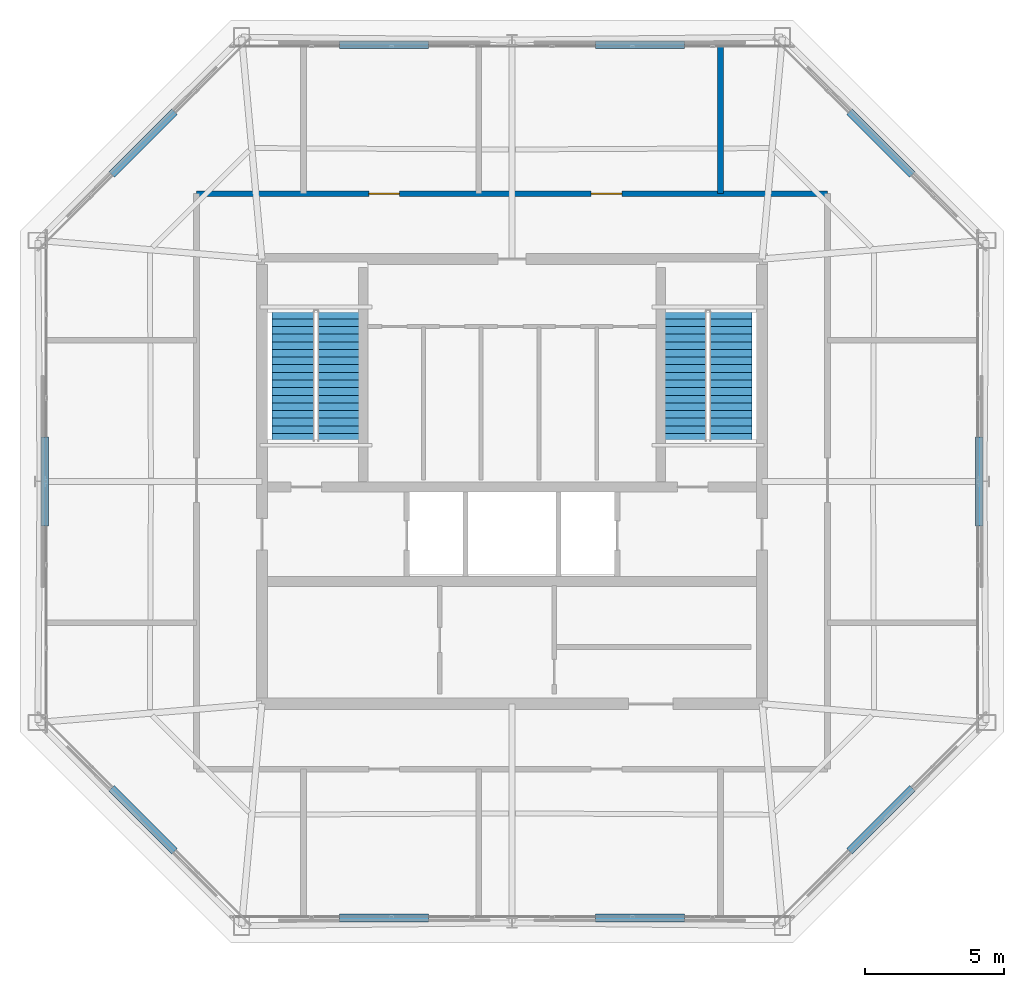
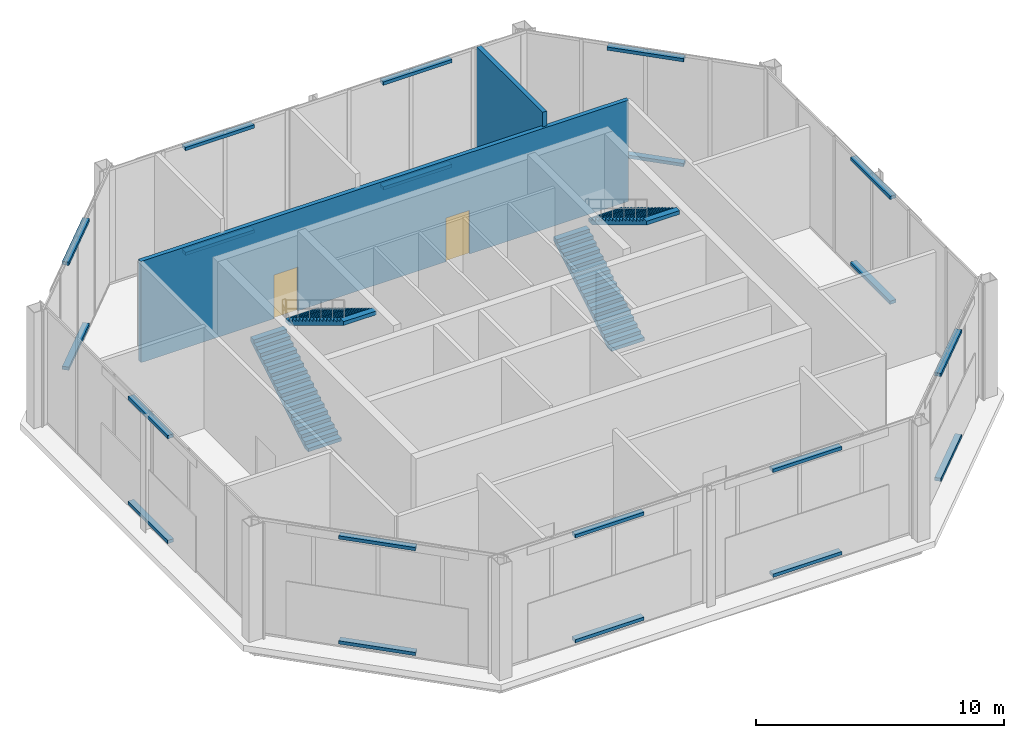
# One storey, part 19 of 20: 20 discrete accessories, 4 stair flights, 2 doors, 2 walls, 2 openings, 2 elements without a shape of their own.
"""IFC4 building model written with IfcOpenShell, lengths in metres."""

from ifc_helpers import new_model, si_unit, direction, frame, frame_2d, origin, origin_2d, place, context, subcontext, project, spatial, polyline, rectangle, outline, extrude, material, layer, layer_set, type_object, element, fill, aggregate, save


model = new_model("IFC4")

# Units and contexts
model_context = context("Model", 3, precision=1e-05, world=origin(), true_north=direction((0.0, 1.0)))
body_context = subcontext(model_context, "Body", "Model", "MODEL_VIEW")
ifc_project = project(units=[si_unit("LENGTHUNIT", "METRE"), si_unit("AREAUNIT", "SQUARE_METRE"), si_unit("VOLUMEUNIT", "CUBIC_METRE"), si_unit("PLANEANGLEUNIT", "RADIAN"), si_unit("MASSUNIT", "GRAM", prefix="KILO")], contexts=[model_context])

# Site, building, storey
site_placement = place(None, origin())
site = spatial("IfcSite", under=ifc_project, at=site_placement, CompositionType="ELEMENT")
building_placement = place(site_placement, origin())
building = spatial("IfcBuilding", under=site, at=building_placement, Name="Caelvoria Tower", CompositionType="ELEMENT")
storey_placement = place(building_placement, frame((0.0, 0.0, 284.199951171875)))
storey = spatial("IfcBuildingStorey", under=building, at=storey_placement, Name="C1", CompositionType="ELEMENT", Elevation=284.199951171875)

# Wall
ifc_material_1 = material(Name="Concrete Block and Fireboard Assembly", Category="concrete")
ifc_layer = layer(ifc_material_1, 0.199951171875, Name="Concrete Block and Fireboard Assembly")
ifc_layer_set = layer_set([ifc_layer], Name="Fire-Rated Shaft and Core Partition Wall 200 - Concrete Block and Fireboard Assembly")
wall_type = type_object("IfcWallType", Name="Fire-Rated Shaft and Core Partition Wall 200", PredefinedType="PARTITIONING", material=ifc_layer_set)
wall_1_placement = place(storey_placement, frame((53.5, 42.35009765625, 0.0), z_axis=(0.0, 0.0, 1.0), x_axis=(0.0, 1.0, 0.0)))
element("IfcWall", 1, at=wall_1_placement, inside=storey, type_object=wall_type, Name="Interior Partition IW-C1-OCH-SEN", PredefinedType="PARTITIONING", context=body_context, shape_type="SweptSolid", body=[
    extrude(rectangle(XDim=5.309814453125, YDim=0.199951171875, at=frame_2d((2.65478515625, 0.0))), origin(), (0.0, 0.0, 1.0), 5.699951171875),
])

# Wall, openings, doors
wall_2_placement = place(storey_placement, frame((34.64990234375, 42.35009765625, 0.0), z_axis=(0.0, 0.0, 1.0), x_axis=(1.0, 0.0, 0.0)))
wall_2 = element("IfcWall", 2, at=wall_2_placement, inside=storey, type_object=wall_type, Name="Interior Partition IW-C1-CRN", PredefinedType="PARTITIONING", context=body_context, shape_type="SweptSolid", body=[
    extrude(rectangle(XDim=22.7001953125, YDim=0.199951171875, at=frame_2d((11.35009765625, 0.0))), origin(), (0.0, 0.0, 1.0), 4.97998046875),
])
opening_1_placement = place(wall_2_placement, frame((6.199951171875, 0.0, 0.0)))
opening_1 = element("IfcOpeningElement", 3, at=opening_1_placement, cuts=wall_2, Name="Opening ID-01", PredefinedType="OPENING", context=body_context, shape_type="SweptSolid", body=[
    extrude(rectangle(XDim=1.10009765625, YDim=2.14990234375, at=frame_2d((0.550048828125, 1.074951171875))), frame((0.0, 0.10986328125, 0.0), z_axis=(0.0, -1.0, 0.0), x_axis=(1.0, 0.0, 0.0)), (0.0, 0.0, 1.0), 0.219970703125),
])
opening_2_placement = place(wall_2_placement, frame((14.199951171875, 0.0, 0.0)))
opening_2 = element("IfcOpeningElement", 4, at=opening_2_placement, cuts=wall_2, Name="Opening ID-01", PredefinedType="OPENING", context=body_context, shape_type="SweptSolid", body=[
    extrude(rectangle(XDim=1.10009765625, YDim=2.14990234375, at=frame_2d((0.550048828125, 1.074951171875))), frame((0.0, 0.10986328125, 0.0), z_axis=(0.0, -1.0, 0.0), x_axis=(1.0, 0.0, 0.0)), (0.0, 0.0, 1.0), 0.219970703125),
])
ifc_material_2 = material(Name="Painted Hollow Steel Fire Door", Category="steel")
door_type = type_object("IfcDoorType", Name="Fire Door FD90S 1100x2150", OperationType="NOTDEFINED", PredefinedType="DOOR", material=ifc_material_2)
door_1_placement = place(opening_1_placement, origin())
door_1 = element("IfcDoor", 5, at=door_1_placement, inside=storey, type_object=door_type, Name="Interior Door DR-C1-PLTN1", OperationType="SINGLE_SWING_RIGHT", OverallHeight=2.14990234375, OverallWidth=1.10009765625, PredefinedType="DOOR", context=body_context, shape_type="SweptSolid", body=[
    extrude(rectangle(XDim=1.10009765625, YDim=2.14990234375, at=frame_2d((0.550048828125, 1.074951171875))), frame((0.0, 0.02490234375, 0.0), z_axis=(0.0, -1.0, 0.0), x_axis=(1.0, 0.0, 0.0)), (0.0, 0.0, 1.0), 0.050048828125),
])
fill(opening_1, door_1)
door_2_placement = place(opening_2_placement, origin())
door_2 = element("IfcDoor", 6, at=door_2_placement, inside=storey, type_object=door_type, Name="Interior Door DR-C1-PLTN2", OperationType="SINGLE_SWING_LEFT", OverallHeight=2.14990234375, OverallWidth=1.10009765625, PredefinedType="DOOR", context=body_context, shape_type="SweptSolid", body=[
    extrude(rectangle(XDim=1.10009765625, YDim=2.14990234375, at=frame_2d((0.550048828125, 1.074951171875))), frame((0.0, 0.02490234375, 0.0), z_axis=(0.0, -1.0, 0.0), x_axis=(1.0, 0.0, 0.0)), (0.0, 0.0, 1.0), 0.050048828125),
])
fill(opening_2, door_2)

# Stair, stair flights
ifc_material_3 = material(Name="Concrete C40/50", Category="concrete")
stair_type = type_object("IfcStairType", Name="Core Smokeproof Dogleg Stair Concrete C40/50", PredefinedType="HALF_TURN_STAIR", material=ifc_material_3)
stair_1_placement = place(storey_placement, origin())
stair_1 = element("IfcStair", 7, at=stair_1_placement, inside=storey, type_object=stair_type, Name="ST-01 Smokeproof Exit Stair C1", PredefinedType="HALF_TURN_STAIR")
ifc_material_4 = material(Name="Precast Concrete C40/50", Category="concrete")
stair_flight_type = type_object("IfcStairFlightType", Name="Precast Concrete C40/50 Stair Flight 1480", PredefinedType="STRAIGHT", material=ifc_material_4)
stair_flight_1_placement = place(storey_placement, frame((38.1298828125, 33.449951171875, 0.0), z_axis=(0.0, 0.0, 1.0), x_axis=(0.0, 1.0, 0.0)))
stair_flight_1 = element("IfcStairFlight", 8, at=stair_flight_1_placement, type_object=stair_flight_type, Name="ST-01 flight 1", NumberOfRisers=18, NumberOfTreads=17, PredefinedType="STRAIGHT", RiserHeight=0.1667, TreadLength=0.275, context=body_context, shape_type="SweptSolid", body=[
    extrude(outline(polyline([(0.0, 0.0), (0.0, 0.166748046875), (0.27490234375, 0.166748046875), (0.27490234375, 0.33349609375), (0.550048828125, 0.33349609375), (0.550048828125, 0.5), (0.824951171875, 0.5), (0.824951171875, 0.666748046875), (1.10009765625, 0.666748046875), (1.10009765625, 0.83349609375), (1.375, 0.83349609375), (1.375, 1.000244140625), (1.64990234375, 1.000244140625), (1.64990234375, 1.1669921875), (1.925048828125, 1.1669921875), (1.925048828125, 1.33349609375), (2.199951171875, 1.33349609375), (2.199951171875, 1.500244140625), (2.47509765625, 1.500244140625), (2.47509765625, 1.6669921875), (2.75, 1.6669921875), (2.75, 1.833740234375), (3.02490234375, 1.833740234375), (3.02490234375, 2.00048828125), (3.300048828125, 2.00048828125), (3.300048828125, 2.1669921875), (3.574951171875, 2.1669921875), (3.574951171875, 2.333740234375), (3.85009765625, 2.333740234375), (3.85009765625, 2.50048828125), (4.125, 2.50048828125), (4.125, 2.667236328125), (4.39990234375, 2.667236328125), (4.39990234375, 2.833984375), (4.675048828125, 2.833984375), (4.675048828125, 3.00048828125), (4.675048828125, 2.64697265625), (0.30859375, 0.0), (0.0, 0.0)])), frame((0.0, 0.77001953125, 0.0), z_axis=(0.0, -1.0, 0.0), x_axis=(1.0, 0.0, 0.0)), (0.0, 0.0, 1.0), 1.5400390625),
])
stair_flight_2_placement = place(storey_placement, frame((39.77001953125, 38.125, 3.0), z_axis=(0.0, 0.0, 1.0), x_axis=(0.0, -1.0, 0.0)))
stair_flight_2 = element("IfcStairFlight", 9, at=stair_flight_2_placement, type_object=stair_flight_type, Name="ST-01 flight 2", NumberOfRisers=18, NumberOfTreads=17, PredefinedType="STRAIGHT", RiserHeight=0.1667, TreadLength=0.275, context=body_context, shape_type="SweptSolid", body=[
    extrude(outline(polyline([(0.0, 0.0), (0.0, 0.166748046875), (0.27490234375, 0.166748046875), (0.27490234375, 0.33349609375), (0.550048828125, 0.33349609375), (0.550048828125, 0.5), (0.824951171875, 0.5), (0.824951171875, 0.666748046875), (1.10009765625, 0.666748046875), (1.10009765625, 0.83349609375), (1.375, 0.83349609375), (1.375, 1.000244140625), (1.64990234375, 1.000244140625), (1.64990234375, 1.1669921875), (1.925048828125, 1.1669921875), (1.925048828125, 1.33349609375), (2.199951171875, 1.33349609375), (2.199951171875, 1.500244140625), (2.47509765625, 1.500244140625), (2.47509765625, 1.6669921875), (2.75, 1.6669921875), (2.75, 1.833740234375), (3.02490234375, 1.833740234375), (3.02490234375, 2.00048828125), (3.300048828125, 2.00048828125), (3.300048828125, 2.1669921875), (3.574951171875, 2.1669921875), (3.574951171875, 2.333740234375), (3.85009765625, 2.333740234375), (3.85009765625, 2.50048828125), (4.125, 2.50048828125), (4.125, 2.667236328125), (4.39990234375, 2.667236328125), (4.39990234375, 2.833984375), (4.675048828125, 2.833984375), (4.675048828125, 3.00048828125), (4.675048828125, 2.64697265625), (0.30859375, 0.0), (0.0, 0.0)])), frame((0.0, 0.77001953125, 0.0), z_axis=(0.0, -1.0, 0.0), x_axis=(1.0, 0.0, 0.0)), (0.0, 0.0, 1.0), 1.5400390625),
])
aggregate(stair_1, [stair_flight_1, stair_flight_2])

stair_2_placement = place(storey_placement, origin())
stair_2 = element("IfcStair", 10, at=stair_2_placement, inside=storey, type_object=stair_type, Name="ST-02 Smokeproof Exit Stair C1", PredefinedType="HALF_TURN_STAIR")
stair_flight_3_placement = place(storey_placement, frame((52.22998046875, 33.449951171875, 0.0), z_axis=(0.0, 0.0, 1.0), x_axis=(0.0, 1.0, 0.0)))
stair_flight_3 = element("IfcStairFlight", 11, at=stair_flight_3_placement, type_object=stair_flight_type, Name="ST-02 flight 1", NumberOfRisers=18, NumberOfTreads=17, PredefinedType="STRAIGHT", RiserHeight=0.1667, TreadLength=0.275, context=body_context, shape_type="SweptSolid", body=[
    extrude(outline(polyline([(0.0, 0.0), (0.0, 0.166748046875), (0.27490234375, 0.166748046875), (0.27490234375, 0.33349609375), (0.550048828125, 0.33349609375), (0.550048828125, 0.5), (0.824951171875, 0.5), (0.824951171875, 0.666748046875), (1.10009765625, 0.666748046875), (1.10009765625, 0.83349609375), (1.375, 0.83349609375), (1.375, 1.000244140625), (1.64990234375, 1.000244140625), (1.64990234375, 1.1669921875), (1.925048828125, 1.1669921875), (1.925048828125, 1.33349609375), (2.199951171875, 1.33349609375), (2.199951171875, 1.500244140625), (2.47509765625, 1.500244140625), (2.47509765625, 1.6669921875), (2.75, 1.6669921875), (2.75, 1.833740234375), (3.02490234375, 1.833740234375), (3.02490234375, 2.00048828125), (3.300048828125, 2.00048828125), (3.300048828125, 2.1669921875), (3.574951171875, 2.1669921875), (3.574951171875, 2.333740234375), (3.85009765625, 2.333740234375), (3.85009765625, 2.50048828125), (4.125, 2.50048828125), (4.125, 2.667236328125), (4.39990234375, 2.667236328125), (4.39990234375, 2.833984375), (4.675048828125, 2.833984375), (4.675048828125, 3.00048828125), (4.675048828125, 2.64697265625), (0.30859375, 0.0), (0.0, 0.0)])), frame((0.0, 0.77001953125, 0.0), z_axis=(0.0, -1.0, 0.0), x_axis=(1.0, 0.0, 0.0)), (0.0, 0.0, 1.0), 1.5400390625),
])
stair_flight_4_placement = place(storey_placement, frame((53.8701171875, 38.125, 3.0), z_axis=(0.0, 0.0, 1.0), x_axis=(0.0, -1.0, 0.0)))
stair_flight_4 = element("IfcStairFlight", 12, at=stair_flight_4_placement, type_object=stair_flight_type, Name="ST-02 flight 2", NumberOfRisers=18, NumberOfTreads=17, PredefinedType="STRAIGHT", RiserHeight=0.1667, TreadLength=0.275, context=body_context, shape_type="SweptSolid", body=[
    extrude(outline(polyline([(0.0, 0.0), (0.0, 0.166748046875), (0.27490234375, 0.166748046875), (0.27490234375, 0.33349609375), (0.550048828125, 0.33349609375), (0.550048828125, 0.5), (0.824951171875, 0.5), (0.824951171875, 0.666748046875), (1.10009765625, 0.666748046875), (1.10009765625, 0.83349609375), (1.375, 0.83349609375), (1.375, 1.000244140625), (1.64990234375, 1.000244140625), (1.64990234375, 1.1669921875), (1.925048828125, 1.1669921875), (1.925048828125, 1.33349609375), (2.199951171875, 1.33349609375), (2.199951171875, 1.500244140625), (2.47509765625, 1.500244140625), (2.47509765625, 1.6669921875), (2.75, 1.6669921875), (2.75, 1.833740234375), (3.02490234375, 1.833740234375), (3.02490234375, 2.00048828125), (3.300048828125, 2.00048828125), (3.300048828125, 2.1669921875), (3.574951171875, 2.1669921875), (3.574951171875, 2.333740234375), (3.85009765625, 2.333740234375), (3.85009765625, 2.50048828125), (4.125, 2.50048828125), (4.125, 2.667236328125), (4.39990234375, 2.667236328125), (4.39990234375, 2.833984375), (4.675048828125, 2.833984375), (4.675048828125, 3.00048828125), (4.675048828125, 2.64697265625), (0.30859375, 0.0), (0.0, 0.0)])), frame((0.0, 0.77001953125, 0.0), z_axis=(0.0, -1.0, 0.0), x_axis=(1.0, 0.0, 0.0)), (0.0, 0.0, 1.0), 1.5400390625),
])
aggregate(stair_2, [stair_flight_3, stair_flight_4])

# Discrete accessories
ifc_material_5 = material(Name="Anodised Bronze Stainless Bracket", Category="bronze")
discrete_accessory_type = type_object("IfcDiscreteAccessoryType", Name="Solar Screen Outrigger Support Bracket", PredefinedType="BRACKET", material=ifc_material_5)
for number, where, z_axis, x_axis, name in (
    (13, (41.39990234375, 16.29052734375, 0.240234375), (0.0, 0.0, 1.0), (1.0, 0.0, 0.0), "Solar Screen Bracket C1-E0-00"),
    (14, (41.39990234375, 16.29052734375, 5.39990234375), (0.0, 0.0, 1.0), (1.0, 0.0, 0.0), "Upper Screen Band Bracket C1-E0-00"),
    (15, (50.60009765625, 16.29052734375, 0.240234375), (0.0, 0.0, 1.0), (1.0, 0.0, 0.0), "Solar Screen Bracket C1-E0-01"),
    (16, (50.60009765625, 16.29052734375, 5.39990234375), (0.0, 0.0, 1.0), (1.0, 0.0, 0.0), "Upper Screen Band Bracket C1-E0-01"),
    (17, (59.270263671875, 19.82958984375, 0.240234375), (0.0, 0.0, 1.0), (0.707106781187, 0.707106781187, 0.0), "Solar Screen Bracket C1-E1-00"),
    (18, (59.270263671875, 19.82958984375, 5.39990234375), (0.0, 0.0, 1.0), (0.707106781187, 0.707106781187, 0.0), "Upper Screen Band Bracket C1-E1-00"),
    (19, (62.8095703125, 32.0, 0.240234375), (0.0, 0.0, 1.0), (0.0, 1.0, 0.0), "Solar Screen Bracket C1-E2-00"),
    (20, (62.8095703125, 32.0, 5.39990234375), (0.0, 0.0, 1.0), (0.0, 1.0, 0.0), "Upper Screen Band Bracket C1-E2-00"),
    (21, (59.270263671875, 44.17041015625, 0.240234375), (0.0, 0.0, 1.0), (-0.707106781187, 0.707106781187, 0.0), "Solar Screen Bracket C1-E3-00"),
    (22, (59.270263671875, 44.17041015625, 5.39990234375), (0.0, 0.0, 1.0), (-0.707106781187, 0.707106781187, 0.0), "Upper Screen Band Bracket C1-E3-00"),
    (23, (50.60009765625, 47.70947265625, 0.240234375), (0.0, 0.0, 1.0), (-1.0, 0.0, 0.0), "Solar Screen Bracket C1-E4-00"),
    (24, (50.60009765625, 47.70947265625, 5.39990234375), (0.0, 0.0, 1.0), (-1.0, 0.0, 0.0), "Upper Screen Band Bracket C1-E4-00"),
    (25, (41.39990234375, 47.70947265625, 0.240234375), (0.0, 0.0, 1.0), (-1.0, 0.0, 0.0), "Solar Screen Bracket C1-E4-01"),
    (26, (41.39990234375, 47.70947265625, 5.39990234375), (0.0, 0.0, 1.0), (-1.0, 0.0, 0.0), "Upper Screen Band Bracket C1-E4-01"),
    (27, (32.729736328125, 44.17041015625, 0.240234375), (0.0, 0.0, 1.0), (-0.707106781187, -0.707106781187, 0.0), "Solar Screen Bracket C1-E5-00"),
    (28, (32.729736328125, 44.17041015625, 5.39990234375), (0.0, 0.0, 1.0), (-0.707106781187, -0.707106781187, 0.0), "Upper Screen Band Bracket C1-E5-00"),
    (29, (29.1904296875, 32.0, 0.240234375), (0.0, 0.0, 1.0), (0.0, -1.0, 0.0), "Solar Screen Bracket C1-E6-00"),
    (30, (29.1904296875, 32.0, 5.39990234375), (0.0, 0.0, 1.0), (0.0, -1.0, 0.0), "Upper Screen Band Bracket C1-E6-00"),
    (31, (32.729736328125, 19.82958984375, 0.240234375), (0.0, 0.0, 1.0), (0.707106781187, -0.707106781187, 0.0), "Solar Screen Bracket C1-E7-00"),
    (32, (32.729736328125, 19.82958984375, 5.39990234375), (0.0, 0.0, 1.0), (0.707106781187, -0.707106781187, 0.0), "Upper Screen Band Bracket C1-E7-00"),
):
    element("IfcDiscreteAccessory", number, at=place(storey_placement, frame(where, z_axis=z_axis, x_axis=x_axis)), inside=storey, type_object=discrete_accessory_type, Name=name, PredefinedType="BRACKET", context=body_context, shape_type="SweptSolid", body=[
        extrude(rectangle(XDim=3.199951171875, YDim=0.280029296875, at=origin_2d()), origin(), (0.0, 0.0, 1.0), 0.159912109375),
    ])

save(model, "model.ifc")
